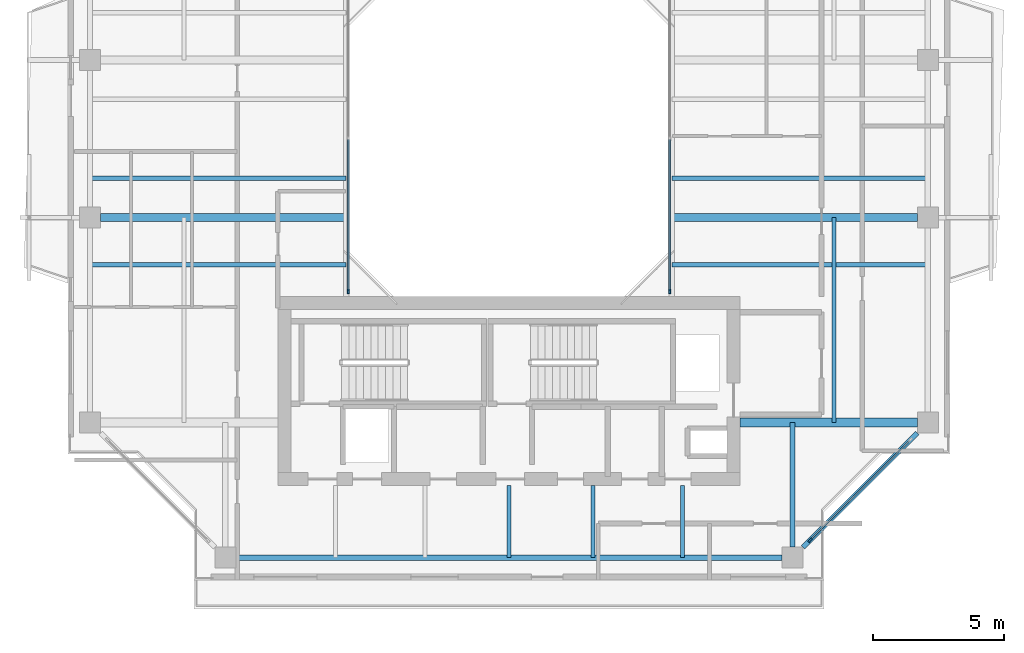
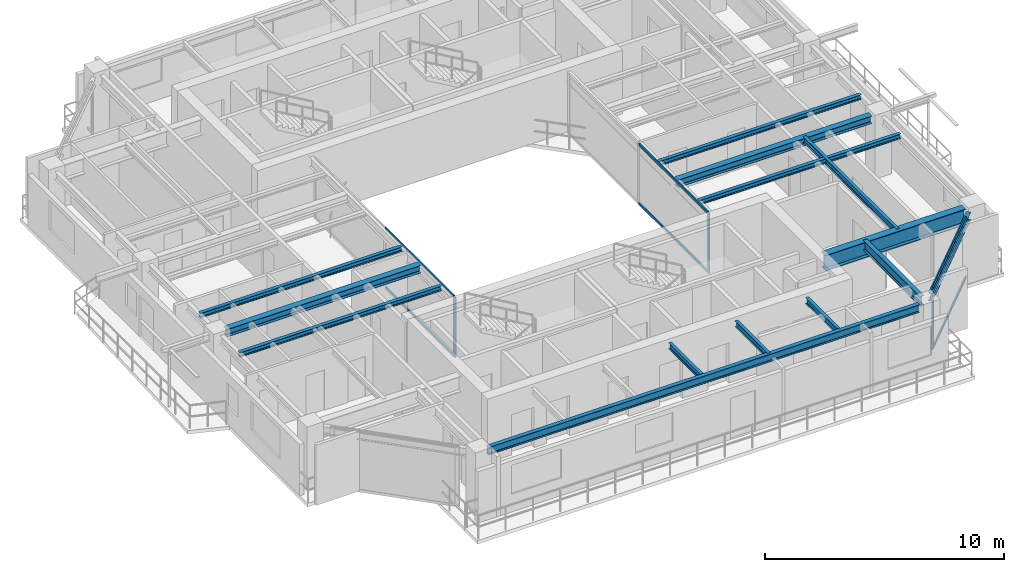
# One storey, part 4 of 16: 14 beams, 9 members, 3 elements without a shape of their own.
"""IFC4 building model written with IfcOpenShell, lengths in metres."""

from ifc_helpers import new_model, si_unit, direction, frame, origin, origin_2d, place, context, subcontext, project, spatial, rectangle, i_section, extrude, source, transform, mapped, material, layer, layer_set, material_profile, profile_set, type_object, element, aggregate, save


model = new_model("IFC4")

# Units and contexts
model_context = context("Model", 3, precision=1e-05, world=origin(), true_north=direction((0.0, 1.0)))
body_context = subcontext(model_context, "Body", "Model", "MODEL_VIEW")
ifc_project = project(units=[si_unit("LENGTHUNIT", "METRE"), si_unit("AREAUNIT", "SQUARE_METRE"), si_unit("VOLUMEUNIT", "CUBIC_METRE"), si_unit("PLANEANGLEUNIT", "RADIAN"), si_unit("MASSUNIT", "GRAM", prefix="KILO"), si_unit("THERMODYNAMICTEMPERATUREUNIT", "KELVIN"), si_unit("POWERUNIT", "WATT")], contexts=[model_context])

# Site, building, storey
site_placement = place(None, origin())
site = spatial("IfcSite", under=ifc_project, at=site_placement, CompositionType="ELEMENT")
building_placement = place(site_placement, origin())
building = spatial("IfcBuilding", under=site, at=building_placement, Name="Qiaomeng Ring Towers", CompositionType="ELEMENT")
storey_placement = place(building_placement, frame((0.0, 0.0, 190.5)))
storey = spatial("IfcBuildingStorey", under=building, at=storey_placement, Name="L55", CompositionType="ELEMENT", Elevation=190.5)

# Beams
ifc_material_1 = material(Name="Steel Q355B", Category="steel")
ifc_material_profile_1 = material_profile(ifc_material_1, i_section(OverallWidth=0.198974609375, OverallDepth=0.39599609375, WebThickness=0.007080078125, FlangeThickness=0.010986328125, FilletRadius=0.01611328125, at=origin_2d()), Name="HN 396x199x7x11")
ifc_profile_set_1 = profile_set([ifc_material_profile_1], Name="Steel Q355B")
beam_type_1 = type_object("IfcBeamType", Name="STR-BM-HN396", PredefinedType="SPANDREL", material=ifc_profile_set_1)
shared_shape_1 = source(origin(), body_context, "Body", "SweptSolid", [
    extrude(i_section(OverallWidth=0.198974609375, OverallDepth=0.39599609375, WebThickness=0.007080078125, FlangeThickness=0.010986328125, FilletRadius=0.01611328125, at=origin_2d()), origin(), (0.0, 0.0, 1.0), 20.8017578125),
])
beam_1_placement = place(storey_placement, frame((8.59912109375, 7.050048828125, 2.8720703125), z_axis=(1.0, 0.0, 0.0), x_axis=(0.0, 1.0, 0.0)))
element("IfcBeam", 1, at=beam_1_placement, inside=storey, type_object=beam_type_1, Name="L55 beam STR-SP-L55-T1-S1-S2", PredefinedType="SPANDREL", context=body_context, shape_type="MappedRepresentation", body=[
    mapped(shared_shape_1, transform((0.0, 0.0, 0.0), x_axis=(1.0, 0.0, 0.0), y_axis=(0.0, 1.0, 0.0), z_axis=(0.0, 0.0, 1.0), scale=1.0)),
])
shared_shape_2 = source(origin(), body_context, "Body", "SweptSolid", [
    extrude(i_section(OverallWidth=0.198974609375, OverallDepth=0.39599609375, WebThickness=0.007080078125, FlangeThickness=0.010986328125, FilletRadius=0.01611328125, at=origin_2d()), origin(), (0.0, 0.0, 1.0), 6.154052734375),
])
beam_2_placement = place(storey_placement, frame((30.19921875, 7.44921875, 2.8720703125), z_axis=(0.707106781187, 0.707106781187, 0.0), x_axis=(-0.707106781187, 0.707106781187, 0.0)))
element("IfcBeam", 2, at=beam_2_placement, inside=storey, type_object=beam_type_1, Name="L55 beam STR-SP-L55-T1-S2-E1", PredefinedType="SPANDREL", context=body_context, shape_type="MappedRepresentation", body=[
    mapped(shared_shape_2, transform((0.0, 0.0, 0.0), x_axis=(1.0, 0.0, 0.0), y_axis=(0.0, 1.0, 0.0), z_axis=(0.0, 0.0, 1.0), scale=1.0)),
])
ifc_material_2 = material(Name="Steel Q390GJC", Category="steel")
ifc_material_profile_2 = material_profile(ifc_material_2, i_section(OverallWidth=0.35009765625, OverallDepth=0.800048828125, WebThickness=0.01611328125, FlangeThickness=0.028076171875, at=origin_2d()), Name="WH 800x350x16x28")
ifc_profile_set_2 = profile_set([ifc_material_profile_2], Name="Steel Q390GJC")
beam_type_2 = type_object("IfcBeamType", Name="STR-BM-WH800", PredefinedType="BEAM", material=ifc_profile_set_2)
shared_shape_3 = source(origin(), body_context, "Body", "SweptSolid", [
    extrude(i_section(OverallWidth=0.35009765625, OverallDepth=0.800048828125, WebThickness=0.01611328125, FlangeThickness=0.028076171875, at=origin_2d()), origin(), (0.0, 0.0, 1.0), 6.7509765625),
])
beam_3_placement = place(storey_placement, frame((27.800048828125, 12.199951171875, 2.669921875), z_axis=(1.0, 0.0, 0.0), x_axis=(0.0, 1.0, 0.0)))
element("IfcBeam", 3, at=beam_3_placement, inside=storey, type_object=beam_type_2, Name="L55 beam STR-BM-L55-T1-RAD-E1", PredefinedType="BEAM", context=body_context, shape_type="MappedRepresentation", body=[
    mapped(shared_shape_3, transform((0.0, 0.0, 0.0), x_axis=(1.0, 0.0, 0.0), y_axis=(0.0, 1.0, 0.0), z_axis=(0.0, 0.0, 1.0), scale=1.0)),
])
ifc_material_profile_3 = material_profile(ifc_material_1, i_section(OverallWidth=0.199951171875, OverallDepth=0.5, WebThickness=0.010009765625, FlangeThickness=0.01611328125, FilletRadius=0.02001953125, at=origin_2d()), Name="HN 500x200x10x16")
ifc_profile_set_3 = profile_set([ifc_material_profile_3], Name="Steel Q355B")
beam_type_3 = type_object("IfcBeamType", Name="STR-BM-HN500", PredefinedType="BEAM", material=ifc_profile_set_3)
shared_shape_4 = source(origin(), body_context, "Body", "SweptSolid", [
    extrude(i_section(OverallWidth=0.199951171875, OverallDepth=0.5, WebThickness=0.010009765625, FlangeThickness=0.01611328125, FilletRadius=0.02001953125, at=origin_2d()), origin(), (0.0, 0.0, 1.0), 4.7509765625),
])
beam_4_placement = place(storey_placement, frame((29.800048828125, 7.448974609375, 2.820068359375), z_axis=(0.0, 1.0, 0.0), x_axis=(-1.0, 0.0, 0.0)))
element("IfcBeam", 4, at=beam_4_placement, inside=storey, type_object=beam_type_3, Name="L55 beam STR-BM-L55-T1-RAD-S2", PredefinedType="BEAM", context=body_context, shape_type="MappedRepresentation", body=[
    mapped(shared_shape_4, transform((0.0, 0.0, 0.0), x_axis=(1.0, 0.0, 0.0), y_axis=(0.0, 1.0, 0.0), z_axis=(0.0, 0.0, 1.0), scale=1.0)),
])
ifc_material_profile_4 = material_profile(ifc_material_1, i_section(OverallWidth=0.300048828125, OverallDepth=0.389892578125, WebThickness=0.010009765625, FlangeThickness=0.01611328125, FilletRadius=0.02197265625, at=origin_2d()), Name="HM 390x300x10x16")
ifc_profile_set_4 = profile_set([ifc_material_profile_4], Name="Steel Q355B")
beam_type_4 = type_object("IfcBeamType", Name="STR-BM-HM390", PredefinedType="BEAM", material=ifc_profile_set_4)
shared_shape_5 = source(origin(), body_context, "Body", "SweptSolid", [
    extrude(i_section(OverallWidth=0.300048828125, OverallDepth=0.389892578125, WebThickness=0.010009765625, FlangeThickness=0.01611328125, FilletRadius=0.02197265625, at=origin_2d()), origin(), (0.0, 0.0, 1.0), 9.35107421875),
])
for number, where, z_axis, x_axis, name in (
    (5, (3.448974609375, 20.0, 2.875), (1.0, 0.0, 0.0), (0.0, 1.0, 0.0), "L55 beam STR-BM-L55-T1-RAD-W2"),
    (6, (25.199951171875, 20.0, 2.875), (1.0, 0.0, 0.0), (0.0, 1.0, 0.0), "L55 beam STR-BM-L55-T1-RAD-E2"),
):
    element("IfcBeam", number, at=place(storey_placement, frame(where, z_axis=z_axis, x_axis=x_axis)), inside=storey, type_object=beam_type_4, Name=name, PredefinedType="BEAM", context=body_context, shape_type="MappedRepresentation", body=[
        mapped(shared_shape_5, transform((0.0, 0.0, 0.0), x_axis=(1.0, 0.0, 0.0), y_axis=(0.0, 1.0, 0.0), z_axis=(0.0, 0.0, 1.0), scale=1.0)),
    ])
ifc_material_profile_5 = material_profile(ifc_material_1, i_section(OverallWidth=0.14990234375, OverallDepth=0.300048828125, WebThickness=0.006591796875, FlangeThickness=0.009033203125, FilletRadius=0.012939453125, at=origin_2d()), Name="HN 300x150x6.5x9")
ifc_profile_set_5 = profile_set([ifc_material_profile_5], Name="Steel Q355B")
beam_type_5 = type_object("IfcBeamType", Name="STR-BM-HN300", PredefinedType="JOIST", material=ifc_profile_set_5)
shared_shape_6 = source(origin(), body_context, "Body", "SweptSolid", [
    extrude(i_section(OverallWidth=0.14990234375, OverallDepth=0.300048828125, WebThickness=0.006591796875, FlangeThickness=0.009033203125, FilletRadius=0.012939453125, at=origin_2d()), origin(), (0.0, 0.0, 1.0), 2.75),
])
for number, where, z_axis, x_axis, name in (
    (7, (19.0, 7.050048828125, 2.919921875), (0.0, 1.0, 0.0), (-1.0, 0.0, 0.0), "L55 beam STR-JST-L55-T1S-3"),
    (8, (22.199951171875, 7.050048828125, 2.919921875), (0.0, 1.0, 0.0), (-1.0, 0.0, 0.0), "L55 beam STR-JST-L55-T1S-4"),
    (9, (25.60009765625, 7.050048828125, 2.919921875), (0.0, 1.0, 0.0), (-1.0, 0.0, 0.0), "L55 beam STR-JST-L55-T1S-5"),
):
    element("IfcBeam", number, at=place(storey_placement, frame(where, z_axis=z_axis, x_axis=x_axis)), inside=storey, type_object=beam_type_5, Name=name, PredefinedType="JOIST", context=body_context, shape_type="MappedRepresentation", body=[
        mapped(shared_shape_6, transform((0.0, 0.0, 0.0), x_axis=(1.0, 0.0, 0.0), y_axis=(0.0, 1.0, 0.0), z_axis=(0.0, 0.0, 1.0), scale=1.0)),
    ])
ifc_material_profile_6 = material_profile(ifc_material_1, i_section(OverallWidth=0.175048828125, OverallDepth=0.243896484375, WebThickness=0.007080078125, FlangeThickness=0.010986328125, FilletRadius=0.01611328125, at=origin_2d()), Name="HM 244x175x7x11")
ifc_profile_set_6 = profile_set([ifc_material_profile_6], Name="Steel Q355B")
beam_type_6 = type_object("IfcBeamType", Name="STR-BM-HM244", PredefinedType="JOIST", material=ifc_profile_set_6)
shared_shape_7 = source(origin(), body_context, "Body", "SweptSolid", [
    extrude(i_section(OverallWidth=0.175048828125, OverallDepth=0.243896484375, WebThickness=0.007080078125, FlangeThickness=0.010986328125, FilletRadius=0.01611328125, at=origin_2d()), origin(), (0.0, 0.0, 1.0), 9.75),
])
for number, where, z_axis, x_axis, name in (
    (10, (3.050048828125, 18.199951171875, 2.947998046875), (1.0, 0.0, 0.0), (0.0, 1.0, 0.0), "L55 beam STR-JST-L55-T1W-1"),
    (11, (25.199951171875, 18.199951171875, 2.947998046875), (1.0, 0.0, 0.0), (0.0, 1.0, 0.0), "L55 beam STR-JST-L55-T1E-1"),
    (12, (3.050048828125, 21.5, 2.947998046875), (1.0, 0.0, 0.0), (0.0, 1.0, 0.0), "L55 beam STR-JST-L55-T1W-2"),
    (13, (25.199951171875, 21.5, 2.947998046875), (1.0, 0.0, 0.0), (0.0, 1.0, 0.0), "L55 beam STR-JST-L55-T1E-2"),
):
    element("IfcBeam", number, at=place(storey_placement, frame(where, z_axis=z_axis, x_axis=x_axis)), inside=storey, type_object=beam_type_6, Name=name, PredefinedType="JOIST", context=body_context, shape_type="MappedRepresentation", body=[
        mapped(shared_shape_7, transform((0.0, 0.0, 0.0), x_axis=(1.0, 0.0, 0.0), y_axis=(0.0, 1.0, 0.0), z_axis=(0.0, 0.0, 1.0), scale=1.0)),
    ])
shared_shape_8 = source(origin(), body_context, "Body", "SweptSolid", [
    extrude(i_section(OverallWidth=0.14990234375, OverallDepth=0.300048828125, WebThickness=0.006591796875, FlangeThickness=0.009033203125, FilletRadius=0.012939453125, at=origin_2d()), origin(), (0.0, 0.0, 1.0), 7.800048828125),
])
beam_5_placement = place(storey_placement, frame((31.375, 12.199951171875, 2.919921875), z_axis=(0.0, 1.0, 0.0), x_axis=(-1.0, 0.0, 0.0)))
element("IfcBeam", 14, at=beam_5_placement, inside=storey, type_object=beam_type_5, Name="L55 beam STR-JST-L55-T1C-ES", PredefinedType="JOIST", context=body_context, shape_type="MappedRepresentation", body=[
    mapped(shared_shape_8, transform((0.0, 0.0, 0.0), x_axis=(1.0, 0.0, 0.0), y_axis=(0.0, 1.0, 0.0), z_axis=(0.0, 0.0, 1.0), scale=1.0)),
])

# Curtain wall, member
ifc_material_3 = material(Name="Fluorocarbon dark-grey aluminium", Category="aluminium")
ifc_layer_1 = layer(ifc_material_3, 0.139892578125, Name="Fluorocarbon dark-grey aluminium")
ifc_layer_set_1 = layer_set([ifc_layer_1], Name="Fluorocarbon dark-grey aluminium")
curtain_wall_type_1 = type_object("IfcCurtainWallType", Name="ARC-CW-4", PredefinedType="NOTDEFINED", material=ifc_layer_set_1)
curtain_wall_1_placement = place(storey_placement, origin())
curtain_wall_1 = element("IfcCurtainWall", 15, at=curtain_wall_1_placement, inside=storey, type_object=curtain_wall_type_1, Name="L55 Curtain Wall CW4", PredefinedType="NOTDEFINED")
ifc_material_profile_7 = material_profile(ifc_material_3, rectangle(XDim=0.06494140625, YDim=0.159912109375, at=origin_2d()), Name="ALU MULL 65x160")
ifc_profile_set_7 = profile_set([ifc_material_profile_7], Name="Fluorocarbon dark-grey aluminium")
member_type_1 = type_object("IfcMemberType", Name="ARC-CWM-140", PredefinedType="MULLION", material=ifc_profile_set_7)
shared_shape_9 = source(origin(), body_context, "Body", "SweptSolid", [
    extrude(rectangle(XDim=0.06494140625, YDim=0.159912109375, at=origin_2d()), origin(), (0.0, 0.0, 1.0), 3.070068359375),
])
member_1_placement = place(storey_placement, frame((12.8798828125, 17.1826171875, 0.0), z_axis=(0.0, 0.0, 1.0), x_axis=(-1.0, 0.0, 0.0)))
member_1 = element("IfcMember", 16, at=member_1_placement, type_object=member_type_1, Name="CW4 mullion 1", PredefinedType="MULLION", context=body_context, shape_type="MappedRepresentation", body=[
    mapped(shared_shape_9, transform((0.0, 0.0, 0.0), x_axis=(1.0, 0.0, 0.0), y_axis=(0.0, 1.0, 0.0), z_axis=(0.0, 0.0, 1.0), scale=1.0)),
])

curtain_wall_2_placement = place(storey_placement, origin())
curtain_wall_2 = element("IfcCurtainWall", 17, at=curtain_wall_2_placement, inside=storey, type_object=curtain_wall_type_1, Name="L55 Curtain Wall CW4", PredefinedType="NOTDEFINED")
member_2_placement = place(storey_placement, frame((25.1201171875, 17.1826171875, 0.0), z_axis=(0.0, 0.0, 1.0), x_axis=(-1.0, 0.0, 0.0)))
member_2 = element("IfcMember", 18, at=member_2_placement, type_object=member_type_1, Name="CW4 mullion 1", PredefinedType="MULLION", context=body_context, shape_type="MappedRepresentation", body=[
    mapped(shared_shape_9, transform((0.0, 0.0, 0.0), x_axis=(1.0, 0.0, 0.0), y_axis=(0.0, 1.0, 0.0), z_axis=(0.0, 0.0, 1.0), scale=1.0)),
])

# Member
ifc_material_profile_8 = material_profile(ifc_material_3, rectangle(XDim=0.06494140625, YDim=0.1298828125, at=origin_2d()), Name="ALU TRAN 65x130")
ifc_profile_set_8 = profile_set([ifc_material_profile_8], Name="Fluorocarbon dark-grey aluminium")
member_type_2 = type_object("IfcMemberType", Name="ARC-CWT-120", PredefinedType="USERDEFINED", material=ifc_profile_set_8)
shared_shape_10 = source(origin(), body_context, "Body", "SweptSolid", [
    extrude(rectangle(XDim=0.06494140625, YDim=0.1298828125, at=origin_2d()), origin(), (0.0, 0.0, 1.0), 5.75244140625),
])
member_3_placement = place(storey_placement, frame((12.8798828125, 17.215087890625, 0.032470703125), z_axis=(0.0, 1.0, 0.0), x_axis=(-1.0, 0.0, 0.0)))
member_3 = element("IfcMember", 19, at=member_3_placement, type_object=member_type_2, Name="CW4 transom 1.1", ObjectType="TRANSOM", PredefinedType="USERDEFINED", context=body_context, shape_type="MappedRepresentation", body=[
    mapped(shared_shape_10, transform((0.0, 0.0, 0.0), x_axis=(1.0, 0.0, 0.0), y_axis=(0.0, 1.0, 0.0), z_axis=(0.0, 0.0, 1.0), scale=1.0)),
])

member_4_placement = place(storey_placement, frame((12.8798828125, 17.215087890625, 3.03759765625), z_axis=(0.0, 1.0, 0.0), x_axis=(-1.0, 0.0, 0.0)))
member_4 = element("IfcMember", 20, at=member_4_placement, type_object=member_type_2, Name="CW4 transom 1.2", ObjectType="TRANSOM", PredefinedType="USERDEFINED", context=body_context, shape_type="MappedRepresentation", body=[
    mapped(shared_shape_10, transform((0.0, 0.0, 0.0), x_axis=(1.0, 0.0, 0.0), y_axis=(0.0, 1.0, 0.0), z_axis=(0.0, 0.0, 1.0), scale=1.0)),
])

aggregate(curtain_wall_1, [member_1, member_3, member_4])

member_5_placement = place(storey_placement, frame((25.1201171875, 17.215087890625, 0.032470703125), z_axis=(0.0, 1.0, 0.0), x_axis=(-1.0, 0.0, 0.0)))
member_5 = element("IfcMember", 21, at=member_5_placement, type_object=member_type_2, Name="CW4 transom 1.1", ObjectType="TRANSOM", PredefinedType="USERDEFINED", context=body_context, shape_type="MappedRepresentation", body=[
    mapped(shared_shape_10, transform((0.0, 0.0, 0.0), x_axis=(1.0, 0.0, 0.0), y_axis=(0.0, 1.0, 0.0), z_axis=(0.0, 0.0, 1.0), scale=1.0)),
])

member_6_placement = place(storey_placement, frame((25.1201171875, 17.215087890625, 3.03759765625), z_axis=(0.0, 1.0, 0.0), x_axis=(-1.0, 0.0, 0.0)))
member_6 = element("IfcMember", 22, at=member_6_placement, type_object=member_type_2, Name="CW4 transom 1.2", ObjectType="TRANSOM", PredefinedType="USERDEFINED", context=body_context, shape_type="MappedRepresentation", body=[
    mapped(shared_shape_10, transform((0.0, 0.0, 0.0), x_axis=(1.0, 0.0, 0.0), y_axis=(0.0, 1.0, 0.0), z_axis=(0.0, 0.0, 1.0), scale=1.0)),
])

aggregate(curtain_wall_2, [member_2, member_5, member_6])

# Curtain wall, members
ifc_layer_2 = layer(ifc_material_3, 0.14990234375, Name="Fluorocarbon dark-grey aluminium")
ifc_layer_set_2 = layer_set([ifc_layer_2], Name="Fluorocarbon dark-grey aluminium")
curtain_wall_type_2 = type_object("IfcCurtainWallType", Name="ARC-CW-3", PredefinedType="NOTDEFINED", material=ifc_layer_set_2)
curtain_wall_3_placement = place(storey_placement, origin())
curtain_wall_3 = element("IfcCurtainWall", 23, at=curtain_wall_3_placement, inside=storey, type_object=curtain_wall_type_2, Name="L55 Curtain Wall CW3", PredefinedType="NOTDEFINED")
ifc_material_profile_9 = material_profile(ifc_material_3, rectangle(XDim=0.070068359375, YDim=0.179931640625, at=origin_2d()), Name="ALU MULL 70x180")
ifc_profile_set_9 = profile_set([ifc_material_profile_9], Name="Fluorocarbon dark-grey aluminium")
member_type_3 = type_object("IfcMemberType", Name="ARC-CWM-160", PredefinedType="MULLION", material=ifc_profile_set_9)
shared_shape_11 = source(origin(), body_context, "Body", "SweptSolid", [
    extrude(rectangle(XDim=0.070068359375, YDim=0.179931640625, at=origin_2d()), origin(), (0.0, 0.0, 1.0), 3.070068359375),
])
member_7_placement = place(storey_placement, frame((30.46484375, 7.71484375, 0.0), z_axis=(0.0, 0.0, 1.0), x_axis=(-0.707106781187, 0.707106781187, 0.0)))
member_7 = element("IfcMember", 24, at=member_7_placement, type_object=member_type_3, Name="CW3 mullion 1", PredefinedType="MULLION", context=body_context, shape_type="MappedRepresentation", body=[
    mapped(shared_shape_11, transform((0.0, 0.0, 0.0), x_axis=(1.0, 0.0, 0.0), y_axis=(0.0, 1.0, 0.0), z_axis=(0.0, 0.0, 1.0), scale=1.0)),
])
shared_shape_12 = source(origin(), body_context, "Body", "SweptSolid", [
    extrude(rectangle(XDim=0.06494140625, YDim=0.1298828125, at=origin_2d()), origin(), (0.0, 0.0, 1.0), 5.3330078125),
])
member_8_placement = place(storey_placement, frame((30.489501953125, 7.739501953125, 0.032470703125), z_axis=(0.707106781187, 0.707106781187, 0.0), x_axis=(-0.707106781187, 0.707106781187, 0.0)))
member_8 = element("IfcMember", 25, at=member_8_placement, type_object=member_type_2, Name="CW3 transom 1.1", ObjectType="TRANSOM", PredefinedType="USERDEFINED", context=body_context, shape_type="MappedRepresentation", body=[
    mapped(shared_shape_12, transform((0.0, 0.0, 0.0), x_axis=(1.0, 0.0, 0.0), y_axis=(0.0, 1.0, 0.0), z_axis=(0.0, 0.0, 1.0), scale=1.0)),
])
member_9_placement = place(storey_placement, frame((30.489501953125, 7.739501953125, 3.03759765625), z_axis=(0.707106781187, 0.707106781187, 0.0), x_axis=(-0.707106781187, 0.707106781187, 0.0)))
member_9 = element("IfcMember", 26, at=member_9_placement, type_object=member_type_2, Name="CW3 transom 1.2", ObjectType="TRANSOM", PredefinedType="USERDEFINED", context=body_context, shape_type="MappedRepresentation", body=[
    mapped(shared_shape_12, transform((0.0, 0.0, 0.0), x_axis=(1.0, 0.0, 0.0), y_axis=(0.0, 1.0, 0.0), z_axis=(0.0, 0.0, 1.0), scale=1.0)),
])
aggregate(curtain_wall_3, [member_7, member_8, member_9])

save(model, "model.ifc")
